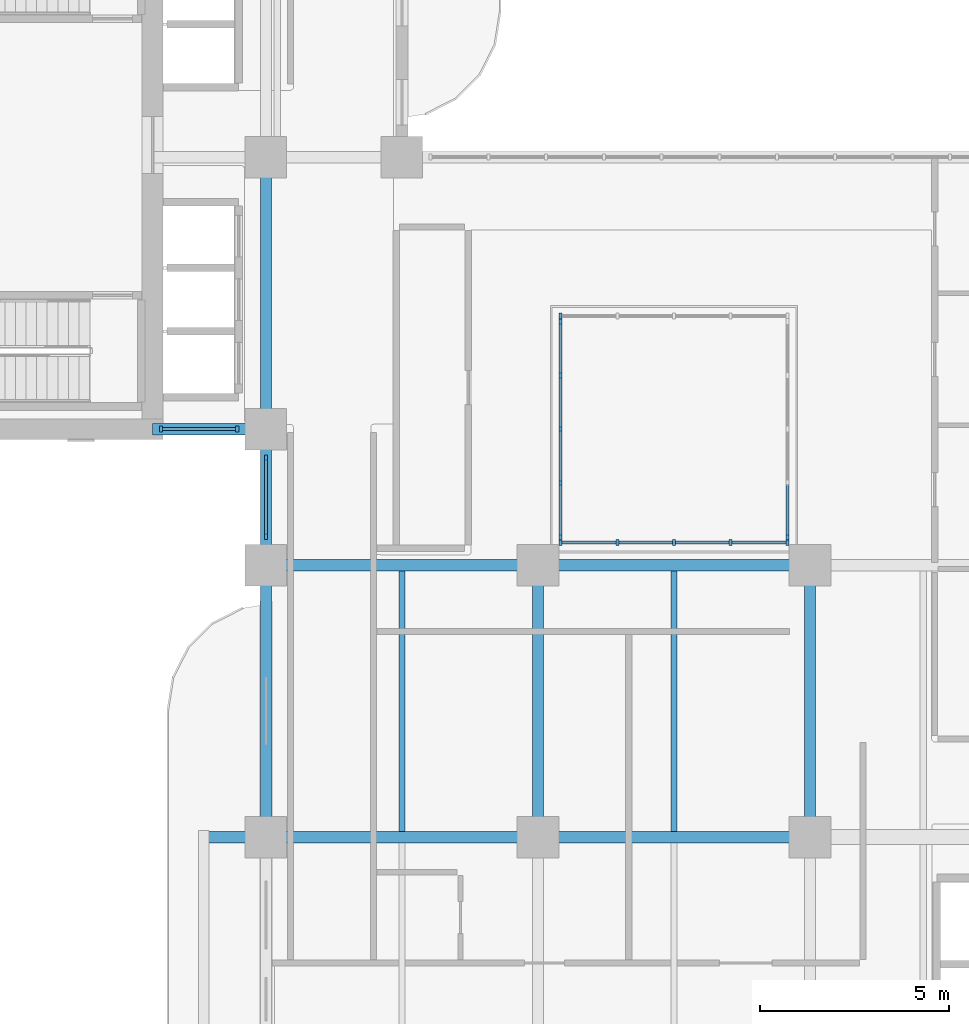
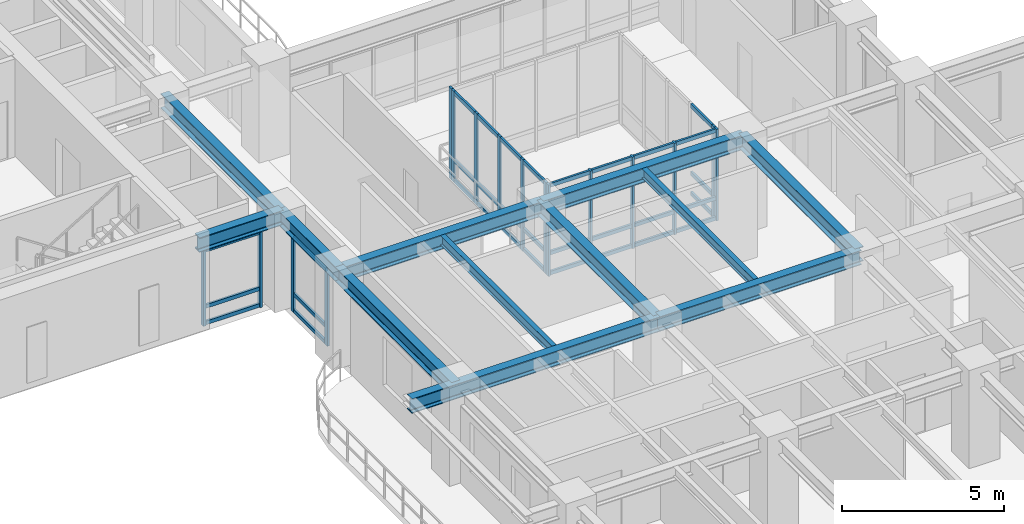
# One storey, part 2 of 22: 49 members, 12 beams, 6 elements without a shape of their own.
"""IFC4 building model written with IfcOpenShell, lengths in metres."""

from ifc_helpers import new_model, si_unit, derived_unit, direction, frame, origin, origin_2d, place, context, subcontext, project, spatial, rectangle, i_section, extrude, source, transform, mapped, material, layer, layer_set, material_profile, profile_set, type_object, type_shapes, element, aggregate, save


model = new_model("IFC4")

# Units and contexts
model_context = context("Model", 3, precision=1e-05, world=origin(), true_north=direction((0.0, 1.0)))
body_context = subcontext(model_context, "Body", "Model", "MODEL_VIEW")
ifc_project = project(units=[si_unit("LENGTHUNIT", "METRE"), si_unit("AREAUNIT", "SQUARE_METRE"), si_unit("VOLUMEUNIT", "CUBIC_METRE"), si_unit("PLANEANGLEUNIT", "RADIAN"), si_unit("MASSUNIT", "GRAM", prefix="KILO"), si_unit("THERMODYNAMICTEMPERATUREUNIT", "KELVIN"), si_unit("POWERUNIT", "WATT"), derived_unit("THERMALTRANSMITTANCEUNIT", [(si_unit("POWERUNIT", "WATT"), 1), (si_unit("AREAUNIT", "SQUARE_METRE"), -1), (si_unit("THERMODYNAMICTEMPERATUREUNIT", "KELVIN"), -1)])], contexts=[model_context])

# Site, building, storey
site_placement = place(None, origin())
site = spatial("IfcSite", under=ifc_project, at=site_placement, CompositionType="ELEMENT")
building_placement = place(site_placement, origin())
building = spatial("IfcBuilding", under=site, at=building_placement, Name="Zahravan Archway Hotel and Residences", CompositionType="ELEMENT")
storey_placement = place(building_placement, frame((0.0, 0.0, 99.0)))
storey = spatial("IfcBuildingStorey", under=building, at=storey_placement, Name="L24", CompositionType="ELEMENT", Elevation=99.0)

# Beams
ifc_material_1 = material(Name="Structural Steel S355JR", Category="steel")
ifc_material_profile_1 = material_profile(ifc_material_1, i_section(OverallWidth=0.300048828125, OverallDepth=0.550048828125, WebThickness=0.014892578125, FlangeThickness=0.029052734375, FilletRadius=0.027099609375, at=origin_2d()), Name="HEB 550", Category="steel")
ifc_profile_set_1 = profile_set([ifc_material_profile_1], Name="Structural Steel S355JR")
beam_type_1 = type_object("IfcBeamType", Name="BM-PRI-HEB550", PredefinedType="BEAM", material=ifc_profile_set_1)
shared_shape_1 = source(origin(), body_context, "Body", "SweptSolid", [
    extrude(i_section(OverallWidth=0.300048828125, OverallDepth=0.550048828125, WebThickness=0.014892578125, FlangeThickness=0.029052734375, FilletRadius=0.027099609375, at=origin_2d()), origin(), (0.0, 0.0, 1.0), 7.2001953125),
])
type_shapes(beam_type_1, [shared_shape_1])
for number, where, z_axis, x_axis, name in (
    (1, (14.39990234375, 21.60009765625, 3.175048828125), (1.0, 0.0, 0.0), (0.0, 1.0, 0.0), "L24 Primary Girder EW-14"),
    (2, (14.39990234375, 14.39990234375, 3.175048828125), (0.0, 1.0, 0.0), (-1.0, 0.0, 0.0), "L24 Primary Girder NS-34"),
    (3, (21.60009765625, 14.39990234375, 3.175048828125), (0.0, 1.0, 0.0), (-1.0, 0.0, 0.0), "L24 Primary Girder NS-41"),
    (4, (28.800048828125, 14.39990234375, 3.175048828125), (0.0, 1.0, 0.0), (-1.0, 0.0, 0.0), "L24 Primary Girder NS-44"),
):
    element("IfcBeam", number, at=place(storey_placement, frame(where, z_axis=z_axis, x_axis=x_axis)), inside=storey, type_object=beam_type_1, Name=name, PredefinedType="BEAM", context=body_context, shape_type="MappedRepresentation", body=[
        mapped(shared_shape_1, transform((0.0, 0.0, 0.0), scale=1.0)),
    ])
shared_shape_2 = source(origin(), body_context, "Body", "SweptSolid", [
    extrude(i_section(OverallWidth=0.300048828125, OverallDepth=0.550048828125, WebThickness=0.014892578125, FlangeThickness=0.029052734375, FilletRadius=0.027099609375, at=origin_2d()), origin(), (0.0, 0.0, 1.0), 7.199951171875),
])
for number, where, z_axis, x_axis, name in (
    (5, (21.60009765625, 14.39990234375, 3.175048828125), (1.0, 0.0, 0.0), (0.0, 1.0, 0.0), "L24 Primary Girder EW-12"),
    (6, (21.60009765625, 21.60009765625, 3.175048828125), (1.0, 0.0, 0.0), (0.0, 1.0, 0.0), "L24 Primary Girder EW-15"),
    (7, (14.39990234375, 25.199951171875, 3.175048828125), (0.0, 1.0, 0.0), (-1.0, 0.0, 0.0), "L24 Primary Girder NS-36"),
):
    element("IfcBeam", number, at=place(storey_placement, frame(where, z_axis=z_axis, x_axis=x_axis)), inside=storey, type_object=beam_type_1, Name=name, PredefinedType="BEAM", context=body_context, shape_type="MappedRepresentation", body=[
        mapped(shared_shape_2, transform((0.0, 0.0, 0.0), scale=1.0)),
    ])
shared_shape_3 = source(origin(), body_context, "Body", "SweptSolid", [
    extrude(i_section(OverallWidth=0.300048828125, OverallDepth=0.550048828125, WebThickness=0.014892578125, FlangeThickness=0.029052734375, FilletRadius=0.027099609375, at=origin_2d()), origin(), (0.0, 0.0, 1.0), 8.85009765625),
])
beam_1_placement = place(storey_placement, frame((12.75, 14.39990234375, 3.175048828125), z_axis=(1.0, 0.0, 0.0), x_axis=(0.0, 1.0, 0.0)))
element("IfcBeam", 8, at=beam_1_placement, inside=storey, type_object=beam_type_1, Name="L24 Primary Girder EW-11", PredefinedType="BEAM", context=body_context, shape_type="MappedRepresentation", body=[
    mapped(shared_shape_3, transform((0.0, 0.0, 0.0), scale=1.0)),
])
shared_shape_4 = source(origin(), body_context, "Body", "SweptSolid", [
    extrude(i_section(OverallWidth=0.300048828125, OverallDepth=0.550048828125, WebThickness=0.014892578125, FlangeThickness=0.029052734375, FilletRadius=0.027099609375, at=origin_2d()), origin(), (0.0, 0.0, 1.0), 3.0),
])
beam_2_placement = place(storey_placement, frame((11.39990234375, 25.199951171875, 3.175048828125), z_axis=(1.0, 0.0, 0.0), x_axis=(0.0, 1.0, 0.0)))
element("IfcBeam", 9, at=beam_2_placement, inside=storey, type_object=beam_type_1, Name="L24 Primary Girder EW-20", PredefinedType="BEAM", context=body_context, shape_type="MappedRepresentation", body=[
    mapped(shared_shape_4, transform((0.0, 0.0, 0.0), scale=1.0)),
])
shared_shape_5 = source(origin(), body_context, "Body", "SweptSolid", [
    extrude(i_section(OverallWidth=0.300048828125, OverallDepth=0.550048828125, WebThickness=0.014892578125, FlangeThickness=0.029052734375, FilletRadius=0.027099609375, at=origin_2d()), origin(), (0.0, 0.0, 1.0), 3.599853515625),
])
beam_3_placement = place(storey_placement, frame((14.39990234375, 21.60009765625, 3.175048828125), z_axis=(0.0, 1.0, 0.0), x_axis=(-1.0, 0.0, 0.0)))
element("IfcBeam", 10, at=beam_3_placement, inside=storey, type_object=beam_type_1, Name="L24 Primary Girder NS-35", PredefinedType="BEAM", context=body_context, shape_type="MappedRepresentation", body=[
    mapped(shared_shape_5, transform((0.0, 0.0, 0.0), scale=1.0)),
])
ifc_material_profile_2 = material_profile(ifc_material_1, i_section(OverallWidth=0.169921875, OverallDepth=0.360107421875, WebThickness=0.008056640625, FlangeThickness=0.0126953125, FilletRadius=0.01806640625, at=origin_2d()), Name="IPE 360", Category="steel")
ifc_profile_set_2 = profile_set([ifc_material_profile_2], Name="Structural Steel S355JR")
beam_type_2 = type_object("IfcBeamType", Name="BM-JST-IPE360", PredefinedType="JOIST", material=ifc_profile_set_2)
shared_shape_6 = source(origin(), body_context, "Body", "SweptSolid", [
    extrude(i_section(OverallWidth=0.169921875, OverallDepth=0.360107421875, WebThickness=0.008056640625, FlangeThickness=0.0126953125, FilletRadius=0.01806640625, at=origin_2d()), origin(), (0.0, 0.0, 1.0), 6.90380859375),
])
for number, where, z_axis, x_axis, name in (
    (11, (18.0, 14.548095703125, 3.27001953125), (0.0, 1.0, 0.0), (-1.0, 0.0, 0.0), "L24 Composite Floor Joist 10"),
    (12, (25.199951171875, 14.548095703125, 3.27001953125), (0.0, 1.0, 0.0), (-1.0, 0.0, 0.0), "L24 Composite Floor Joist 11"),
):
    element("IfcBeam", number, at=place(storey_placement, frame(where, z_axis=z_axis, x_axis=x_axis)), inside=storey, type_object=beam_type_2, Name=name, PredefinedType="JOIST", context=body_context, shape_type="MappedRepresentation", body=[
        mapped(shared_shape_6, transform((0.0, 0.0, 0.0), scale=1.0)),
    ])

# Curtain wall, members
ifc_material_2 = material(Name="Bronze-Anodized Unitised Aluminium & Low-E Glass", Category="aluminium")
ifc_layer_1 = layer(ifc_material_2, 0.179931640625, Name="Bronze-Anodized Unitised Aluminium & Low-E Glass", Category="aluminium")
ifc_layer_set_1 = layer_set([ifc_layer_1], Name="Bronze-Anodized Unitised Aluminium & Low-E Glass")
curtain_wall_type_1 = type_object("IfcCurtainWallType", Name="CW-TWR-FEAT", PredefinedType="NOTDEFINED", material=ifc_layer_set_1)
curtain_wall_1_placement = place(storey_placement, origin())
curtain_wall_1 = element("IfcCurtainWall", 13, at=curtain_wall_1_placement, inside=storey, type_object=curtain_wall_type_1, Name="L24 Curtain Wall CW-L24-WA-WLU-1", PredefinedType="NOTDEFINED")
ifc_material_3 = material(Name="Bronze-Anodized Extruded Aluminium", Category="aluminium")
ifc_material_profile_3 = material_profile(ifc_material_3, rectangle(XDim=0.080078125, YDim=0.159912109375, at=origin_2d()), Name="MUL 80x160", Category="aluminium")
ifc_profile_set_3 = profile_set([ifc_material_profile_3], Name="Bronze-Anodized Extruded Aluminium")
member_type_1 = type_object("IfcMemberType", Name="CWM-MUL-160", PredefinedType="MULLION", material=ifc_profile_set_3)
shared_shape_7 = source(origin(), body_context, "Body", "SweptSolid", [
    extrude(rectangle(XDim=0.080078125, YDim=0.159912109375, at=origin_2d()), origin(), (0.0, 0.0, 1.0), 2.885009765625),
])
member_1_placement = place(storey_placement, frame((14.39990234375, 22.360107421875, 0.0), z_axis=(0.0, 0.0, 1.0), x_axis=(1.0, 0.0, 0.0)))
member_1 = element("IfcMember", 14, at=member_1_placement, type_object=member_type_1, Name="CW-L24-WA-WLU-1 Mullion 0", PredefinedType="MULLION", context=body_context, shape_type="MappedRepresentation", body=[
    mapped(shared_shape_7, transform((0.0, 0.0, 0.0), scale=1.0)),
])
member_2_placement = place(storey_placement, frame((14.39990234375, 24.43994140625, 0.0), z_axis=(0.0, 0.0, 1.0), x_axis=(1.0, 0.0, 0.0)))
member_2 = element("IfcMember", 15, at=member_2_placement, type_object=member_type_1, Name="CW-L24-WA-WLU-1 Mullion 1", PredefinedType="MULLION", context=body_context, shape_type="MappedRepresentation", body=[
    mapped(shared_shape_7, transform((0.0, 0.0, 0.0), scale=1.0)),
])

curtain_wall_2_placement = place(storey_placement, origin())
curtain_wall_2 = element("IfcCurtainWall", 16, at=curtain_wall_2_placement, inside=storey, type_object=curtain_wall_type_1, Name="L24 Curtain Wall CW-L24-WB-SE-1", PredefinedType="NOTDEFINED")
member_3_placement = place(storey_placement, frame((11.6201171875, 25.199951171875, 0.0), z_axis=(0.0, 0.0, 1.0), x_axis=(1.0, 0.0, 0.0)))
member_3 = element("IfcMember", 17, at=member_3_placement, type_object=member_type_1, Name="CW-L24-WB-SE-1 Mullion 0", PredefinedType="MULLION", context=body_context, shape_type="MappedRepresentation", body=[
    mapped(shared_shape_7, transform((0.0, 0.0, 0.0), scale=1.0)),
])
member_4_placement = place(storey_placement, frame((13.639892578125, 25.199951171875, 0.0), z_axis=(0.0, 0.0, 1.0), x_axis=(1.0, 0.0, 0.0)))
member_4 = element("IfcMember", 18, at=member_4_placement, type_object=member_type_1, Name="CW-L24-WB-SE-1 Mullion 1", PredefinedType="MULLION", context=body_context, shape_type="MappedRepresentation", body=[
    mapped(shared_shape_7, transform((0.0, 0.0, 0.0), scale=1.0)),
])
ifc_material_profile_4 = material_profile(ifc_material_3, rectangle(XDim=0.080078125, YDim=0.139892578125, at=origin_2d()), Name="TRN 80x140", Category="aluminium")
ifc_profile_set_4 = profile_set([ifc_material_profile_4], Name="Bronze-Anodized Extruded Aluminium")
member_type_2 = type_object("IfcMemberType", Name="CWM-TRN-140", PredefinedType="USERDEFINED", material=ifc_profile_set_4)
shared_shape_8 = source(origin(), body_context, "Body", "SweptSolid", [
    extrude(rectangle(XDim=0.080078125, YDim=0.139892578125, at=origin_2d()), origin(), (0.0, 0.0, 1.0), 1.940185546875),
])
member_5_placement = place(storey_placement, frame((11.659912109375, 25.199951171875, 0.070068359375), z_axis=(1.0, 0.0, 0.0), x_axis=(0.0, 1.0, 0.0)))
member_5 = element("IfcMember", 19, at=member_5_placement, type_object=member_type_2, Name="CW-L24-WB-SE-1 Transom 0-1", ObjectType="TRANSOM", PredefinedType="USERDEFINED", context=body_context, shape_type="MappedRepresentation", body=[
    mapped(shared_shape_8, transform((0.0, 0.0, 0.0), scale=1.0)),
])
member_6_placement = place(storey_placement, frame((11.659912109375, 25.199951171875, 0.6923828125), z_axis=(1.0, 0.0, 0.0), x_axis=(0.0, 1.0, 0.0)))
member_6 = element("IfcMember", 20, at=member_6_placement, type_object=member_type_2, Name="CW-L24-WB-SE-1 Transom 0-2", ObjectType="TRANSOM", PredefinedType="USERDEFINED", context=body_context, shape_type="MappedRepresentation", body=[
    mapped(shared_shape_8, transform((0.0, 0.0, 0.0), scale=1.0)),
])
member_7_placement = place(storey_placement, frame((11.659912109375, 25.199951171875, 2.81494140625), z_axis=(1.0, 0.0, 0.0), x_axis=(0.0, 1.0, 0.0)))
member_7 = element("IfcMember", 21, at=member_7_placement, type_object=member_type_2, Name="CW-L24-WB-SE-1 Transom 0-3", ObjectType="TRANSOM", PredefinedType="USERDEFINED", context=body_context, shape_type="MappedRepresentation", body=[
    mapped(shared_shape_8, transform((0.0, 0.0, 0.0), scale=1.0)),
])
aggregate(curtain_wall_2, [member_3, member_4, member_5, member_6, member_7])

# Member
shared_shape_9 = source(origin(), body_context, "Body", "SweptSolid", [
    extrude(rectangle(XDim=0.080078125, YDim=0.139892578125, at=origin_2d()), origin(), (0.0, 0.0, 1.0), 2.0),
])
member_8_placement = place(storey_placement, frame((14.39990234375, 22.39990234375, 0.070068359375), z_axis=(0.0, 1.0, 0.0), x_axis=(-1.0, 0.0, 0.0)))
member_8 = element("IfcMember", 22, at=member_8_placement, type_object=member_type_2, Name="CW-L24-WA-WLU-1 Transom 0-1", ObjectType="TRANSOM", PredefinedType="USERDEFINED", context=body_context, shape_type="MappedRepresentation", body=[
    mapped(shared_shape_9, transform((0.0, 0.0, 0.0), scale=1.0)),
])

member_9_placement = place(storey_placement, frame((14.39990234375, 22.39990234375, 0.6923828125), z_axis=(0.0, 1.0, 0.0), x_axis=(-1.0, 0.0, 0.0)))
member_9 = element("IfcMember", 23, at=member_9_placement, type_object=member_type_2, Name="CW-L24-WA-WLU-1 Transom 0-2", ObjectType="TRANSOM", PredefinedType="USERDEFINED", context=body_context, shape_type="MappedRepresentation", body=[
    mapped(shared_shape_9, transform((0.0, 0.0, 0.0), scale=1.0)),
])

member_10_placement = place(storey_placement, frame((14.39990234375, 22.39990234375, 2.81494140625), z_axis=(0.0, 1.0, 0.0), x_axis=(-1.0, 0.0, 0.0)))
member_10 = element("IfcMember", 24, at=member_10_placement, type_object=member_type_2, Name="CW-L24-WA-WLU-1 Transom 0-3", ObjectType="TRANSOM", PredefinedType="USERDEFINED", context=body_context, shape_type="MappedRepresentation", body=[
    mapped(shared_shape_9, transform((0.0, 0.0, 0.0), scale=1.0)),
])

aggregate(curtain_wall_1, [member_1, member_2, member_8, member_9, member_10])

# Curtain wall, members
ifc_layer_2 = layer(ifc_material_2, 0.179931640625, Name="Bronze-Anodized Unitised Aluminium & Low-E Glass", Category="aluminium")
ifc_layer_set_2 = layer_set([ifc_layer_2], Name="Bronze-Anodized Unitised Aluminium & Low-E Glass")
curtain_wall_type_2 = type_object("IfcCurtainWallType", Name="CW-ATR-GLAZ", PredefinedType="NOTDEFINED", material=ifc_layer_set_2)
curtain_wall_3_placement = place(storey_placement, origin())
curtain_wall_3 = element("IfcCurtainWall", 25, at=curtain_wall_3_placement, inside=storey, type_object=curtain_wall_type_2, Name="L24 Curtain Wall CW-ATR-L24-S-1", PredefinedType="NOTDEFINED")
shared_shape_10 = source(origin(), body_context, "Body", "SweptSolid", [
    extrude(rectangle(XDim=0.080078125, YDim=0.159912109375, at=origin_2d()), origin(), (0.0, 0.0, 1.0), 3.449951171875),
])
member_11_placement = place(storey_placement, frame((22.199951171875, 22.199951171875, 0.0), z_axis=(0.0, 0.0, 1.0), x_axis=(1.0, 0.0, 0.0)))
member_11 = element("IfcMember", 26, at=member_11_placement, type_object=member_type_1, Name="CW-ATR-L24-S-1 Mullion 0", PredefinedType="MULLION", context=body_context, shape_type="MappedRepresentation", body=[
    mapped(shared_shape_10, transform((0.0, 0.0, 0.0), scale=1.0)),
])
member_12_placement = place(storey_placement, frame((23.699951171875, 22.199951171875, 0.0), z_axis=(0.0, 0.0, 1.0), x_axis=(1.0, 0.0, 0.0)))
member_12 = element("IfcMember", 27, at=member_12_placement, type_object=member_type_1, Name="CW-ATR-L24-S-1 Mullion 1", PredefinedType="MULLION", context=body_context, shape_type="MappedRepresentation", body=[
    mapped(shared_shape_10, transform((0.0, 0.0, 0.0), scale=1.0)),
])
member_13_placement = place(storey_placement, frame((25.199951171875, 22.199951171875, 0.0), z_axis=(0.0, 0.0, 1.0), x_axis=(1.0, 0.0, 0.0)))
member_13 = element("IfcMember", 28, at=member_13_placement, type_object=member_type_1, Name="CW-ATR-L24-S-1 Mullion 2", PredefinedType="MULLION", context=body_context, shape_type="MappedRepresentation", body=[
    mapped(shared_shape_10, transform((0.0, 0.0, 0.0), scale=1.0)),
])
member_14_placement = place(storey_placement, frame((26.699951171875, 22.199951171875, 0.0), z_axis=(0.0, 0.0, 1.0), x_axis=(1.0, 0.0, 0.0)))
member_14 = element("IfcMember", 29, at=member_14_placement, type_object=member_type_1, Name="CW-ATR-L24-S-1 Mullion 3", PredefinedType="MULLION", context=body_context, shape_type="MappedRepresentation", body=[
    mapped(shared_shape_10, transform((0.0, 0.0, 0.0), scale=1.0)),
])
member_15_placement = place(storey_placement, frame((28.199951171875, 22.199951171875, 0.0), z_axis=(0.0, 0.0, 1.0), x_axis=(1.0, 0.0, 0.0)))
member_15 = element("IfcMember", 30, at=member_15_placement, type_object=member_type_1, Name="CW-ATR-L24-S-1 Mullion 4", PredefinedType="MULLION", context=body_context, shape_type="MappedRepresentation", body=[
    mapped(shared_shape_10, transform((0.0, 0.0, 0.0), scale=1.0)),
])

# Curtain wall, member
curtain_wall_4_placement = place(storey_placement, origin())
curtain_wall_4 = element("IfcCurtainWall", 31, at=curtain_wall_4_placement, inside=storey, type_object=curtain_wall_type_2, Name="L24 Curtain Wall CW-ATR-L24-N-1", PredefinedType="NOTDEFINED")
member_16_placement = place(storey_placement, frame((22.199951171875, 28.199951171875, 0.0), z_axis=(0.0, 0.0, 1.0), x_axis=(1.0, 0.0, 0.0)))
member_16 = element("IfcMember", 32, at=member_16_placement, type_object=member_type_1, Name="CW-ATR-L24-N-1 Mullion 0", PredefinedType="MULLION", context=body_context, shape_type="MappedRepresentation", body=[
    mapped(shared_shape_10, transform((0.0, 0.0, 0.0), scale=1.0)),
])
aggregate(curtain_wall_4, [member_16])

# Curtain wall, members
curtain_wall_5_placement = place(storey_placement, origin())
curtain_wall_5 = element("IfcCurtainWall", 33, at=curtain_wall_5_placement, inside=storey, type_object=curtain_wall_type_2, Name="L24 Curtain Wall CW-ATR-L24-W-1", PredefinedType="NOTDEFINED")
member_17_placement = place(storey_placement, frame((22.199951171875, 22.35009765625, 0.0), z_axis=(0.0, 0.0, 1.0), x_axis=(1.0, 0.0, 0.0)))
member_17 = element("IfcMember", 34, at=member_17_placement, type_object=member_type_1, Name="CW-ATR-L24-W-1 Mullion 0", PredefinedType="MULLION", context=body_context, shape_type="MappedRepresentation", body=[
    mapped(shared_shape_10, transform((0.0, 0.0, 0.0), scale=1.0)),
])
member_18_placement = place(storey_placement, frame((22.199951171875, 23.77490234375, 0.0), z_axis=(0.0, 0.0, 1.0), x_axis=(1.0, 0.0, 0.0)))
member_18 = element("IfcMember", 35, at=member_18_placement, type_object=member_type_1, Name="CW-ATR-L24-W-1 Mullion 1", PredefinedType="MULLION", context=body_context, shape_type="MappedRepresentation", body=[
    mapped(shared_shape_10, transform((0.0, 0.0, 0.0), scale=1.0)),
])
member_19_placement = place(storey_placement, frame((22.199951171875, 25.199951171875, 0.0), z_axis=(0.0, 0.0, 1.0), x_axis=(1.0, 0.0, 0.0)))
member_19 = element("IfcMember", 36, at=member_19_placement, type_object=member_type_1, Name="CW-ATR-L24-W-1 Mullion 2", PredefinedType="MULLION", context=body_context, shape_type="MappedRepresentation", body=[
    mapped(shared_shape_10, transform((0.0, 0.0, 0.0), scale=1.0)),
])
member_20_placement = place(storey_placement, frame((22.199951171875, 26.625, 0.0), z_axis=(0.0, 0.0, 1.0), x_axis=(1.0, 0.0, 0.0)))
member_20 = element("IfcMember", 37, at=member_20_placement, type_object=member_type_1, Name="CW-ATR-L24-W-1 Mullion 3", PredefinedType="MULLION", context=body_context, shape_type="MappedRepresentation", body=[
    mapped(shared_shape_10, transform((0.0, 0.0, 0.0), scale=1.0)),
])
member_21_placement = place(storey_placement, frame((22.199951171875, 28.050048828125, 0.0), z_axis=(0.0, 0.0, 1.0), x_axis=(1.0, 0.0, 0.0)))
member_21 = element("IfcMember", 38, at=member_21_placement, type_object=member_type_1, Name="CW-ATR-L24-W-1 Mullion 4", PredefinedType="MULLION", context=body_context, shape_type="MappedRepresentation", body=[
    mapped(shared_shape_10, transform((0.0, 0.0, 0.0), scale=1.0)),
])

# Curtain wall, member
curtain_wall_6_placement = place(storey_placement, origin())
curtain_wall_6 = element("IfcCurtainWall", 39, at=curtain_wall_6_placement, inside=storey, type_object=curtain_wall_type_2, Name="L24 Curtain Wall CW-ATR-L24-E-1", PredefinedType="NOTDEFINED")
member_22_placement = place(storey_placement, frame((28.199951171875, 22.35009765625, 0.0), z_axis=(0.0, 0.0, 1.0), x_axis=(1.0, 0.0, 0.0)))
member_22 = element("IfcMember", 40, at=member_22_placement, type_object=member_type_1, Name="CW-ATR-L24-E-1 Mullion 0", PredefinedType="MULLION", context=body_context, shape_type="MappedRepresentation", body=[
    mapped(shared_shape_10, transform((0.0, 0.0, 0.0), scale=1.0)),
])

# Member
shared_shape_11 = source(origin(), body_context, "Body", "SweptSolid", [
    extrude(rectangle(XDim=0.080078125, YDim=0.139892578125, at=origin_2d()), origin(), (0.0, 0.0, 1.0), 1.419921875),
])
member_23_placement = place(storey_placement, frame((22.239990234375, 22.199951171875, 0.070068359375), z_axis=(1.0, 0.0, 0.0), x_axis=(0.0, 1.0, 0.0)))
member_23 = element("IfcMember", 41, at=member_23_placement, type_object=member_type_2, Name="CW-ATR-L24-S-1 Transom 0-1", ObjectType="TRANSOM", PredefinedType="USERDEFINED", context=body_context, shape_type="MappedRepresentation", body=[
    mapped(shared_shape_11, transform((0.0, 0.0, 0.0), scale=1.0)),
])

member_24_placement = place(storey_placement, frame((22.239990234375, 22.199951171875, 0.827880859375), z_axis=(1.0, 0.0, 0.0), x_axis=(0.0, 1.0, 0.0)))
member_24 = element("IfcMember", 42, at=member_24_placement, type_object=member_type_2, Name="CW-ATR-L24-S-1 Transom 0-2", ObjectType="TRANSOM", PredefinedType="USERDEFINED", context=body_context, shape_type="MappedRepresentation", body=[
    mapped(shared_shape_11, transform((0.0, 0.0, 0.0), scale=1.0)),
])

member_25_placement = place(storey_placement, frame((22.239990234375, 22.199951171875, 3.3798828125), z_axis=(1.0, 0.0, 0.0), x_axis=(0.0, 1.0, 0.0)))
member_25 = element("IfcMember", 43, at=member_25_placement, type_object=member_type_2, Name="CW-ATR-L24-S-1 Transom 0-3", ObjectType="TRANSOM", PredefinedType="USERDEFINED", context=body_context, shape_type="MappedRepresentation", body=[
    mapped(shared_shape_11, transform((0.0, 0.0, 0.0), scale=1.0)),
])

member_26_placement = place(storey_placement, frame((23.739990234375, 22.199951171875, 0.070068359375), z_axis=(1.0, 0.0, 0.0), x_axis=(0.0, 1.0, 0.0)))
member_26 = element("IfcMember", 44, at=member_26_placement, type_object=member_type_2, Name="CW-ATR-L24-S-1 Transom 1-1", ObjectType="TRANSOM", PredefinedType="USERDEFINED", context=body_context, shape_type="MappedRepresentation", body=[
    mapped(shared_shape_11, transform((0.0, 0.0, 0.0), scale=1.0)),
])

member_27_placement = place(storey_placement, frame((23.739990234375, 22.199951171875, 0.827880859375), z_axis=(1.0, 0.0, 0.0), x_axis=(0.0, 1.0, 0.0)))
member_27 = element("IfcMember", 45, at=member_27_placement, type_object=member_type_2, Name="CW-ATR-L24-S-1 Transom 1-2", ObjectType="TRANSOM", PredefinedType="USERDEFINED", context=body_context, shape_type="MappedRepresentation", body=[
    mapped(shared_shape_11, transform((0.0, 0.0, 0.0), scale=1.0)),
])

member_28_placement = place(storey_placement, frame((23.739990234375, 22.199951171875, 3.3798828125), z_axis=(1.0, 0.0, 0.0), x_axis=(0.0, 1.0, 0.0)))
member_28 = element("IfcMember", 46, at=member_28_placement, type_object=member_type_2, Name="CW-ATR-L24-S-1 Transom 1-3", ObjectType="TRANSOM", PredefinedType="USERDEFINED", context=body_context, shape_type="MappedRepresentation", body=[
    mapped(shared_shape_11, transform((0.0, 0.0, 0.0), scale=1.0)),
])

member_29_placement = place(storey_placement, frame((25.239990234375, 22.199951171875, 0.070068359375), z_axis=(1.0, 0.0, 0.0), x_axis=(0.0, 1.0, 0.0)))
member_29 = element("IfcMember", 47, at=member_29_placement, type_object=member_type_2, Name="CW-ATR-L24-S-1 Transom 2-1", ObjectType="TRANSOM", PredefinedType="USERDEFINED", context=body_context, shape_type="MappedRepresentation", body=[
    mapped(shared_shape_11, transform((0.0, 0.0, 0.0), scale=1.0)),
])

member_30_placement = place(storey_placement, frame((25.239990234375, 22.199951171875, 0.827880859375), z_axis=(1.0, 0.0, 0.0), x_axis=(0.0, 1.0, 0.0)))
member_30 = element("IfcMember", 48, at=member_30_placement, type_object=member_type_2, Name="CW-ATR-L24-S-1 Transom 2-2", ObjectType="TRANSOM", PredefinedType="USERDEFINED", context=body_context, shape_type="MappedRepresentation", body=[
    mapped(shared_shape_11, transform((0.0, 0.0, 0.0), scale=1.0)),
])

member_31_placement = place(storey_placement, frame((25.239990234375, 22.199951171875, 3.3798828125), z_axis=(1.0, 0.0, 0.0), x_axis=(0.0, 1.0, 0.0)))
member_31 = element("IfcMember", 49, at=member_31_placement, type_object=member_type_2, Name="CW-ATR-L24-S-1 Transom 2-3", ObjectType="TRANSOM", PredefinedType="USERDEFINED", context=body_context, shape_type="MappedRepresentation", body=[
    mapped(shared_shape_11, transform((0.0, 0.0, 0.0), scale=1.0)),
])

member_32_placement = place(storey_placement, frame((26.739990234375, 22.199951171875, 0.070068359375), z_axis=(1.0, 0.0, 0.0), x_axis=(0.0, 1.0, 0.0)))
member_32 = element("IfcMember", 50, at=member_32_placement, type_object=member_type_2, Name="CW-ATR-L24-S-1 Transom 3-1", ObjectType="TRANSOM", PredefinedType="USERDEFINED", context=body_context, shape_type="MappedRepresentation", body=[
    mapped(shared_shape_11, transform((0.0, 0.0, 0.0), scale=1.0)),
])

member_33_placement = place(storey_placement, frame((26.739990234375, 22.199951171875, 0.827880859375), z_axis=(1.0, 0.0, 0.0), x_axis=(0.0, 1.0, 0.0)))
member_33 = element("IfcMember", 51, at=member_33_placement, type_object=member_type_2, Name="CW-ATR-L24-S-1 Transom 3-2", ObjectType="TRANSOM", PredefinedType="USERDEFINED", context=body_context, shape_type="MappedRepresentation", body=[
    mapped(shared_shape_11, transform((0.0, 0.0, 0.0), scale=1.0)),
])

member_34_placement = place(storey_placement, frame((26.739990234375, 22.199951171875, 3.3798828125), z_axis=(1.0, 0.0, 0.0), x_axis=(0.0, 1.0, 0.0)))
member_34 = element("IfcMember", 52, at=member_34_placement, type_object=member_type_2, Name="CW-ATR-L24-S-1 Transom 3-3", ObjectType="TRANSOM", PredefinedType="USERDEFINED", context=body_context, shape_type="MappedRepresentation", body=[
    mapped(shared_shape_11, transform((0.0, 0.0, 0.0), scale=1.0)),
])

aggregate(curtain_wall_3, [member_11, member_12, member_13, member_14, member_15, member_23, member_24, member_25, member_26, member_27, member_28, member_29, member_30, member_31, member_32, member_33, member_34])

shared_shape_12 = source(origin(), body_context, "Body", "SweptSolid", [
    extrude(rectangle(XDim=0.080078125, YDim=0.139892578125, at=origin_2d()), origin(), (0.0, 0.0, 1.0), 1.34521484375),
])
member_35_placement = place(storey_placement, frame((22.199951171875, 22.389892578125, 0.070068359375), z_axis=(0.0, 1.0, 0.0), x_axis=(-1.0, 0.0, 0.0)))
member_35 = element("IfcMember", 53, at=member_35_placement, type_object=member_type_2, Name="CW-ATR-L24-W-1 Transom 0-1", ObjectType="TRANSOM", PredefinedType="USERDEFINED", context=body_context, shape_type="MappedRepresentation", body=[
    mapped(shared_shape_12, transform((0.0, 0.0, 0.0), scale=1.0)),
])

member_36_placement = place(storey_placement, frame((22.199951171875, 22.389892578125, 0.827880859375), z_axis=(0.0, 1.0, 0.0), x_axis=(-1.0, 0.0, 0.0)))
member_36 = element("IfcMember", 54, at=member_36_placement, type_object=member_type_2, Name="CW-ATR-L24-W-1 Transom 0-2", ObjectType="TRANSOM", PredefinedType="USERDEFINED", context=body_context, shape_type="MappedRepresentation", body=[
    mapped(shared_shape_12, transform((0.0, 0.0, 0.0), scale=1.0)),
])

member_37_placement = place(storey_placement, frame((22.199951171875, 22.389892578125, 3.3798828125), z_axis=(0.0, 1.0, 0.0), x_axis=(-1.0, 0.0, 0.0)))
member_37 = element("IfcMember", 55, at=member_37_placement, type_object=member_type_2, Name="CW-ATR-L24-W-1 Transom 0-3", ObjectType="TRANSOM", PredefinedType="USERDEFINED", context=body_context, shape_type="MappedRepresentation", body=[
    mapped(shared_shape_12, transform((0.0, 0.0, 0.0), scale=1.0)),
])

member_38_placement = place(storey_placement, frame((28.199951171875, 22.389892578125, 0.070068359375), z_axis=(0.0, 1.0, 0.0), x_axis=(-1.0, 0.0, 0.0)))
member_38 = element("IfcMember", 56, at=member_38_placement, type_object=member_type_2, Name="CW-ATR-L24-E-1 Transom 0-1", ObjectType="TRANSOM", PredefinedType="USERDEFINED", context=body_context, shape_type="MappedRepresentation", body=[
    mapped(shared_shape_12, transform((0.0, 0.0, 0.0), scale=1.0)),
])

member_39_placement = place(storey_placement, frame((28.199951171875, 22.389892578125, 0.827880859375), z_axis=(0.0, 1.0, 0.0), x_axis=(-1.0, 0.0, 0.0)))
member_39 = element("IfcMember", 57, at=member_39_placement, type_object=member_type_2, Name="CW-ATR-L24-E-1 Transom 0-2", ObjectType="TRANSOM", PredefinedType="USERDEFINED", context=body_context, shape_type="MappedRepresentation", body=[
    mapped(shared_shape_12, transform((0.0, 0.0, 0.0), scale=1.0)),
])

member_40_placement = place(storey_placement, frame((28.199951171875, 22.389892578125, 3.3798828125), z_axis=(0.0, 1.0, 0.0), x_axis=(-1.0, 0.0, 0.0)))
member_40 = element("IfcMember", 58, at=member_40_placement, type_object=member_type_2, Name="CW-ATR-L24-E-1 Transom 0-3", ObjectType="TRANSOM", PredefinedType="USERDEFINED", context=body_context, shape_type="MappedRepresentation", body=[
    mapped(shared_shape_12, transform((0.0, 0.0, 0.0), scale=1.0)),
])

aggregate(curtain_wall_6, [member_22, member_38, member_39, member_40])

shared_shape_13 = source(origin(), body_context, "Body", "SweptSolid", [
    extrude(rectangle(XDim=0.080078125, YDim=0.139892578125, at=origin_2d()), origin(), (0.0, 0.0, 1.0), 1.344970703125),
])
member_41_placement = place(storey_placement, frame((22.199951171875, 23.81494140625, 0.070068359375), z_axis=(0.0, 1.0, 0.0), x_axis=(-1.0, 0.0, 0.0)))
member_41 = element("IfcMember", 59, at=member_41_placement, type_object=member_type_2, Name="CW-ATR-L24-W-1 Transom 1-1", ObjectType="TRANSOM", PredefinedType="USERDEFINED", context=body_context, shape_type="MappedRepresentation", body=[
    mapped(shared_shape_13, transform((0.0, 0.0, 0.0), scale=1.0)),
])

member_42_placement = place(storey_placement, frame((22.199951171875, 23.81494140625, 0.827880859375), z_axis=(0.0, 1.0, 0.0), x_axis=(-1.0, 0.0, 0.0)))
member_42 = element("IfcMember", 60, at=member_42_placement, type_object=member_type_2, Name="CW-ATR-L24-W-1 Transom 1-2", ObjectType="TRANSOM", PredefinedType="USERDEFINED", context=body_context, shape_type="MappedRepresentation", body=[
    mapped(shared_shape_13, transform((0.0, 0.0, 0.0), scale=1.0)),
])

member_43_placement = place(storey_placement, frame((22.199951171875, 23.81494140625, 3.3798828125), z_axis=(0.0, 1.0, 0.0), x_axis=(-1.0, 0.0, 0.0)))
member_43 = element("IfcMember", 61, at=member_43_placement, type_object=member_type_2, Name="CW-ATR-L24-W-1 Transom 1-3", ObjectType="TRANSOM", PredefinedType="USERDEFINED", context=body_context, shape_type="MappedRepresentation", body=[
    mapped(shared_shape_13, transform((0.0, 0.0, 0.0), scale=1.0)),
])

member_44_placement = place(storey_placement, frame((22.199951171875, 25.239990234375, 0.070068359375), z_axis=(0.0, 1.0, 0.0), x_axis=(-1.0, 0.0, 0.0)))
member_44 = element("IfcMember", 62, at=member_44_placement, type_object=member_type_2, Name="CW-ATR-L24-W-1 Transom 2-1", ObjectType="TRANSOM", PredefinedType="USERDEFINED", context=body_context, shape_type="MappedRepresentation", body=[
    mapped(shared_shape_13, transform((0.0, 0.0, 0.0), scale=1.0)),
])

member_45_placement = place(storey_placement, frame((22.199951171875, 25.239990234375, 0.827880859375), z_axis=(0.0, 1.0, 0.0), x_axis=(-1.0, 0.0, 0.0)))
member_45 = element("IfcMember", 63, at=member_45_placement, type_object=member_type_2, Name="CW-ATR-L24-W-1 Transom 2-2", ObjectType="TRANSOM", PredefinedType="USERDEFINED", context=body_context, shape_type="MappedRepresentation", body=[
    mapped(shared_shape_13, transform((0.0, 0.0, 0.0), scale=1.0)),
])

member_46_placement = place(storey_placement, frame((22.199951171875, 25.239990234375, 3.3798828125), z_axis=(0.0, 1.0, 0.0), x_axis=(-1.0, 0.0, 0.0)))
member_46 = element("IfcMember", 64, at=member_46_placement, type_object=member_type_2, Name="CW-ATR-L24-W-1 Transom 2-3", ObjectType="TRANSOM", PredefinedType="USERDEFINED", context=body_context, shape_type="MappedRepresentation", body=[
    mapped(shared_shape_13, transform((0.0, 0.0, 0.0), scale=1.0)),
])

member_47_placement = place(storey_placement, frame((22.199951171875, 26.6650390625, 0.070068359375), z_axis=(0.0, 1.0, 0.0), x_axis=(-1.0, 0.0, 0.0)))
member_47 = element("IfcMember", 65, at=member_47_placement, type_object=member_type_2, Name="CW-ATR-L24-W-1 Transom 3-1", ObjectType="TRANSOM", PredefinedType="USERDEFINED", context=body_context, shape_type="MappedRepresentation", body=[
    mapped(shared_shape_13, transform((0.0, 0.0, 0.0), scale=1.0)),
])

member_48_placement = place(storey_placement, frame((22.199951171875, 26.6650390625, 0.827880859375), z_axis=(0.0, 1.0, 0.0), x_axis=(-1.0, 0.0, 0.0)))
member_48 = element("IfcMember", 66, at=member_48_placement, type_object=member_type_2, Name="CW-ATR-L24-W-1 Transom 3-2", ObjectType="TRANSOM", PredefinedType="USERDEFINED", context=body_context, shape_type="MappedRepresentation", body=[
    mapped(shared_shape_13, transform((0.0, 0.0, 0.0), scale=1.0)),
])

member_49_placement = place(storey_placement, frame((22.199951171875, 26.6650390625, 3.3798828125), z_axis=(0.0, 1.0, 0.0), x_axis=(-1.0, 0.0, 0.0)))
member_49 = element("IfcMember", 67, at=member_49_placement, type_object=member_type_2, Name="CW-ATR-L24-W-1 Transom 3-3", ObjectType="TRANSOM", PredefinedType="USERDEFINED", context=body_context, shape_type="MappedRepresentation", body=[
    mapped(shared_shape_13, transform((0.0, 0.0, 0.0), scale=1.0)),
])

aggregate(curtain_wall_5, [member_17, member_18, member_19, member_20, member_21, member_35, member_36, member_37, member_41, member_42, member_43, member_44, member_45, member_46, member_47, member_48, member_49])

save(model, "model.ifc")
